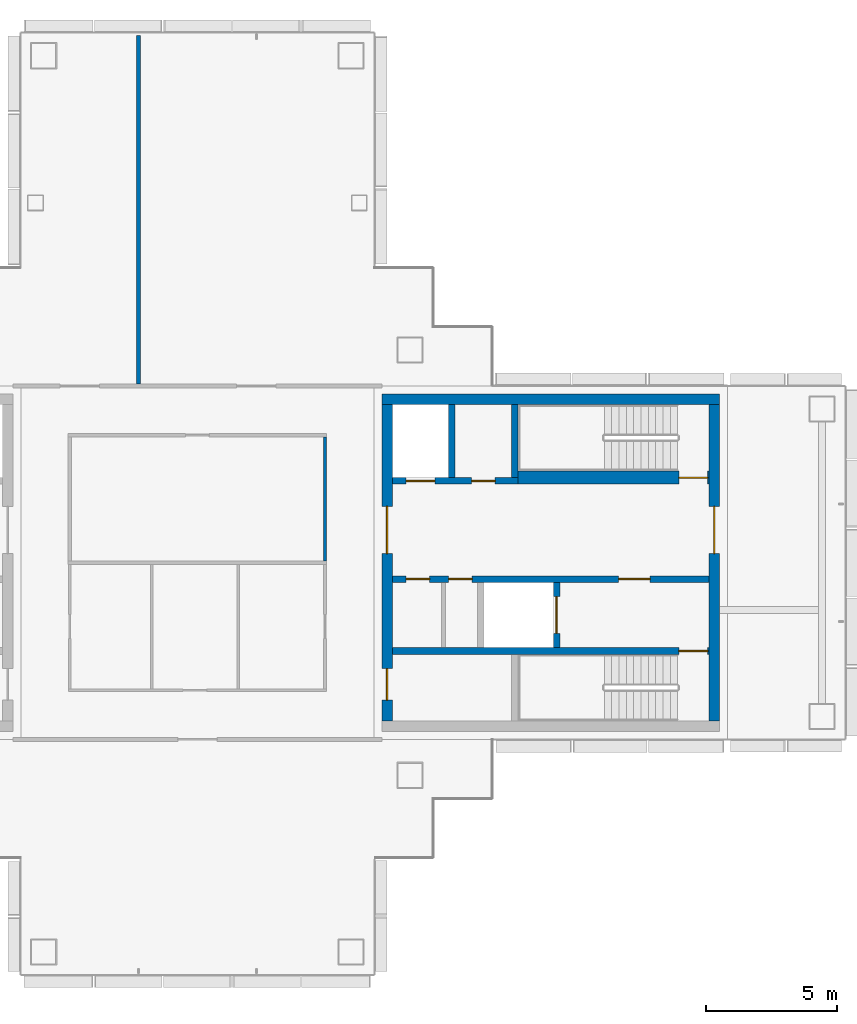
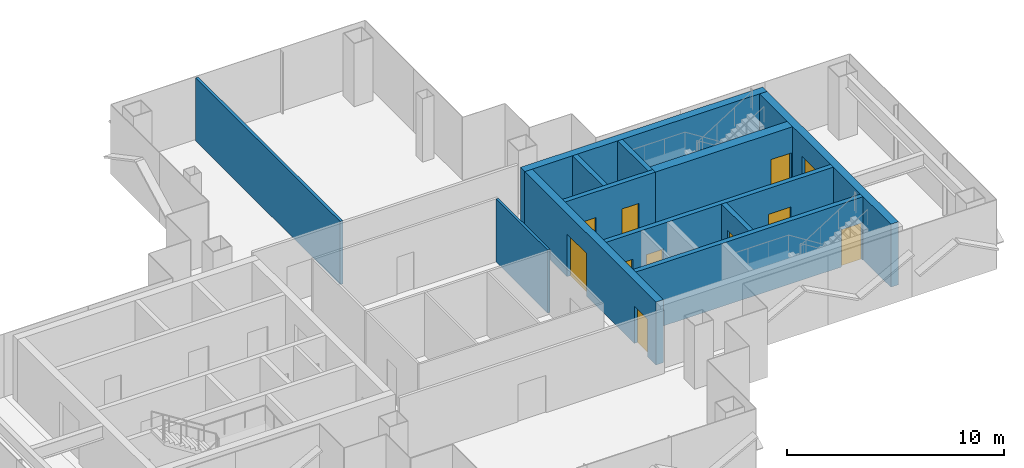
# One storey, part 12 of 17: 12 walls, 11 doors, 11 openings.
"""IFC4 building model written with IfcOpenShell, lengths in metres."""

from ifc_helpers import new_model, si_unit, direction, frame, frame_2d, origin, place, context, subcontext, project, spatial, rectangle, extrude, material, layer, layer_set, type_object, element, fill, save


model = new_model("IFC4")

# Units and contexts
model_context = context("Model", 3, precision=1e-05, world=origin(), true_north=direction((0.0, 1.0)))
body_context = subcontext(model_context, "Body", "Model", "MODEL_VIEW")
ifc_project = project(units=[si_unit("LENGTHUNIT", "METRE"), si_unit("AREAUNIT", "SQUARE_METRE"), si_unit("VOLUMEUNIT", "CUBIC_METRE"), si_unit("PLANEANGLEUNIT", "RADIAN"), si_unit("MASSUNIT", "GRAM", prefix="KILO")], contexts=[model_context])

# Site, building, storey
site_placement = place(None, origin())
site = spatial("IfcSite", under=ifc_project, at=site_placement, CompositionType="ELEMENT")
building_placement = place(site_placement, origin())
building = spatial("IfcBuilding", under=site, at=building_placement, Name="Shamsa Quay Exchange Towers", CompositionType="ELEMENT")
storey_placement = place(building_placement, frame((0.0, 0.0, 217.800048828125)))
storey = spatial("IfcBuildingStorey", under=building, at=storey_placement, Name="L52", CompositionType="ELEMENT", Elevation=217.800048828125)

# Wall
ifc_material_1 = material(Name="Concrete C60/75", Category="concrete")
ifc_layer_1 = layer(ifc_material_1, 0.39990234375)
ifc_layer_set_1 = layer_set([ifc_layer_1], Name="CORE WALL 400 C60/75")
wall_type_1 = type_object("IfcWallType", Name="CORE WALL 400 C60/75", PredefinedType="SHEAR", material=ifc_layer_set_1)
wall_1_placement = place(storey_placement, frame((53.699951171875, 6.25, 0.0), z_axis=(0.0, 0.0, 1.0), x_axis=(-1.0, 0.0, 0.0)))
element("IfcWall", 1, at=wall_1_placement, inside=storey, type_object=wall_type_1, Name="Core wall T2B-R24-PN", PredefinedType="SHEAR", context=body_context, shape_type="SweptSolid", body=[
    extrude(rectangle(XDim=12.89990234375, YDim=0.39990234375, at=frame_2d((6.449951171875, 0.0))), origin(), (0.0, 0.0, 1.0), 3.550048828125),
])

# Wall, opening, door
wall_2_placement = place(storey_placement, frame((53.5, -6.050048828125, 0.0), z_axis=(0.0, 0.0, 1.0), x_axis=(0.0, 1.0, 0.0)))
wall_2 = element("IfcWall", 2, at=wall_2_placement, inside=storey, type_object=wall_type_1, Name="Core wall T2B-R24-PF", PredefinedType="SHEAR", context=body_context, shape_type="SweptSolid", body=[
    extrude(rectangle(XDim=12.10009765625, YDim=0.39990234375, at=frame_2d((6.050048828125, 0.0))), origin(), (0.0, 0.0, 1.0), 3.550048828125),
])
opening_1_placement = place(wall_2_placement, frame((6.39990234375, 0.0, 0.0)))
opening_1 = element("IfcOpeningElement", 3, at=opening_1_placement, cuts=wall_2, Name="Opening T2B-R24-LBD01", PredefinedType="OPENING", context=body_context, shape_type="SweptSolid", body=[
    extrude(rectangle(XDim=1.800048828125, YDim=2.39990234375, at=frame_2d((0.89990234375, 1.199951171875))), frame((0.0, 0.2099609375, 0.0), z_axis=(0.0, -1.0, 0.0), x_axis=(1.0, 0.0, 0.0)), (0.0, 0.0, 1.0), 0.419921875),
])
ifc_material_2 = material(Name="Steel, fire rated", Category="steel")
door_type_1 = type_object("IfcDoorType", Name="LIFT LOBBY DOOR PAIR 1800", OperationType="DOUBLE_DOOR_SINGLE_SWING", PredefinedType="DOOR", material=ifc_material_2)
door_1_placement = place(opening_1_placement, origin())
door_1 = element("IfcDoor", 4, at=door_1_placement, inside=storey, type_object=door_type_1, Name="T2B-R24-LBD01", OperationType="DOUBLE_DOOR_SINGLE_SWING", OverallHeight=2.39990234375, OverallWidth=1.800048828125, PredefinedType="DOOR", context=body_context, shape_type="SweptSolid", body=[
    extrude(rectangle(XDim=1.800048828125, YDim=2.39990234375, at=frame_2d((0.89990234375, 1.199951171875))), frame((0.0, 0.02490234375, 0.0), z_axis=(0.0, -1.0, 0.0), x_axis=(1.0, 0.0, 0.0)), (0.0, 0.0, 1.0), 0.050048828125),
])
fill(opening_1, door_1)

# Wall, openings, doors
wall_3_placement = place(storey_placement, frame((41.0, -6.050048828125, 0.0), z_axis=(0.0, 0.0, 1.0), x_axis=(0.0, 1.0, 0.0)))
wall_3 = element("IfcWall", 5, at=wall_3_placement, inside=storey, type_object=wall_type_1, Name="Core wall T2B-R24-PB", PredefinedType="SHEAR", context=body_context, shape_type="SweptSolid", body=[
    extrude(rectangle(XDim=12.10009765625, YDim=0.39990234375, at=frame_2d((6.050048828125, 0.0))), origin(), (0.0, 0.0, 1.0), 3.550048828125),
])
opening_2_placement = place(wall_3_placement, frame((0.800048828125, 0.0, 0.0)))
opening_2 = element("IfcOpeningElement", 6, at=opening_2_placement, cuts=wall_3, Name="Opening T2B-R24-RD02", PredefinedType="OPENING", context=body_context, shape_type="SweptSolid", body=[
    extrude(rectangle(XDim=1.199951171875, YDim=2.10009765625, at=frame_2d((0.60009765625, 1.050048828125))), frame((0.0, 0.2099609375, 0.0), z_axis=(0.0, -1.0, 0.0), x_axis=(1.0, 0.0, 0.0)), (0.0, 0.0, 1.0), 0.419921875),
])
opening_3_placement = place(wall_3_placement, frame((6.39990234375, 0.0, 0.0)))
opening_3 = element("IfcOpeningElement", 7, at=opening_3_placement, cuts=wall_3, Name="Opening T2B-R24-LBD03", PredefinedType="OPENING", context=body_context, shape_type="SweptSolid", body=[
    extrude(rectangle(XDim=1.800048828125, YDim=2.39990234375, at=frame_2d((0.89990234375, 1.199951171875))), frame((0.0, 0.2099609375, 0.0), z_axis=(0.0, -1.0, 0.0), x_axis=(1.0, 0.0, 0.0)), (0.0, 0.0, 1.0), 0.419921875),
])
door_2_placement = place(opening_3_placement, origin())
door_2 = element("IfcDoor", 8, at=door_2_placement, inside=storey, type_object=door_type_1, Name="T2B-R24-LBD03", OperationType="DOUBLE_DOOR_SINGLE_SWING", OverallHeight=2.39990234375, OverallWidth=1.800048828125, PredefinedType="DOOR", context=body_context, shape_type="SweptSolid", body=[
    extrude(rectangle(XDim=1.800048828125, YDim=2.39990234375, at=frame_2d((0.89990234375, 1.199951171875))), frame((0.0, 0.02490234375, 0.0), z_axis=(0.0, -1.0, 0.0), x_axis=(1.0, 0.0, 0.0)), (0.0, 0.0, 1.0), 0.050048828125),
])
fill(opening_3, door_2)
door_type_2 = type_object("IfcDoorType", Name="RISER ACCESS DOOR 1200", OperationType="SINGLE_SWING_LEFT", PredefinedType="DOOR", material=ifc_material_2)
door_3_placement = place(opening_2_placement, origin())
door_3 = element("IfcDoor", 9, at=door_3_placement, inside=storey, type_object=door_type_2, Name="T2B-R24-RD02", OperationType="SINGLE_SWING_LEFT", OverallHeight=2.10009765625, OverallWidth=1.199951171875, PredefinedType="DOOR", context=body_context, shape_type="SweptSolid", body=[
    extrude(rectangle(XDim=1.199951171875, YDim=2.10009765625, at=frame_2d((0.60009765625, 1.050048828125))), frame((0.0, 0.02490234375, 0.0), z_axis=(0.0, -1.0, 0.0), x_axis=(1.0, 0.0, 0.0)), (0.0, 0.0, 1.0), 0.050048828125),
])
fill(opening_2, door_3)

# Walls
ifc_material_3 = material(Name="Laminated fire-resisting glass in a metal frame", Category="glass")
ifc_layer_2 = layer(ifc_material_3, 0.125)
ifc_layer_set_2 = layer_set([ifc_layer_2], Name="Glazed partition 125 mm EI 60")
wall_type_2 = type_object("IfcWallType", Name="Glazed partition 125 mm EI 60", PredefinedType="PARTITIONING", material=ifc_layer_set_2)
wall_4_placement = place(storey_placement, frame((38.625, 0.0625, 0.0), z_axis=(0.0, 0.0, 1.0), x_axis=(0.0, 1.0, 0.0)))
element("IfcWall", 10, at=wall_4_placement, inside=storey, type_object=wall_type_2, Name="Partition T2-R24-W04", PredefinedType="PARTITIONING", context=body_context, shape_type="SweptSolid", body=[
    extrude(rectangle(XDim=4.75, YDim=0.125, at=frame_2d((2.375, 0.0))), origin(), (0.0, 0.0, 1.0), 3.550048828125),
])
ifc_material_4 = material(Name="Gypsum board partition on metal studs")
ifc_layer_3 = layer(ifc_material_4, 0.14990234375)
ifc_layer_set_3 = layer_set([ifc_layer_3], Name="Partition 150 mm EI 60")
wall_type_3 = type_object("IfcWallType", Name="Partition 150 mm EI 60", PredefinedType="PARTITIONING", material=ifc_layer_set_3)
wall_5_placement = place(storey_placement, frame((31.5, 20.155029296875, 0.0), z_axis=(0.0, 0.0, 1.0), x_axis=(0.0, -1.0, 0.0)))
element("IfcWall", 11, at=wall_5_placement, inside=storey, type_object=wall_type_3, Name="Partition T2-R24-W12", PredefinedType="PARTITIONING", context=body_context, shape_type="SweptSolid", body=[
    extrude(rectangle(XDim=13.330078125, YDim=0.14990234375, at=frame_2d((6.6650390625, 0.0))), origin(), (0.0, 0.0, 1.0), 3.550048828125),
])

# Wall, opening, door
ifc_material_5 = material(Name="Concrete C50/60", Category="concrete")
ifc_layer_4 = layer(ifc_material_5, 0.25)
ifc_layer_set_4 = layer_set([ifc_layer_4], Name="SHAFT WALL 250 C50/60")
wall_type_4 = type_object("IfcWallType", Name="SHAFT WALL 250 C50/60", PredefinedType="SHEAR", material=ifc_layer_set_4)
wall_6_placement = place(storey_placement, frame((53.300048828125, -3.375, 0.0), z_axis=(0.0, 0.0, 1.0), x_axis=(-1.0, 0.0, 0.0)))
wall_6 = element("IfcWall", 12, at=wall_6_placement, inside=storey, type_object=wall_type_4, Name="Shaft wall T2B-R24-STL", PredefinedType="SHEAR", context=body_context, shape_type="SweptSolid", body=[
    extrude(rectangle(XDim=12.10009765625, YDim=0.25, at=frame_2d((6.050048828125, 0.0))), origin(), (0.0, 0.0, 1.0), 3.550048828125),
])
opening_4_placement = place(wall_6_placement, frame((0.050048828125, 0.0, 0.0)))
opening_4 = element("IfcOpeningElement", 13, at=opening_4_placement, cuts=wall_6, Name="Opening T2B-R24-SD04", PredefinedType="OPENING", context=body_context, shape_type="SweptSolid", body=[
    extrude(rectangle(XDim=1.10009765625, YDim=2.10009765625, at=frame_2d((0.550048828125, 1.050048828125))), frame((0.0, 0.135009765625, 0.0), z_axis=(0.0, -1.0, 0.0), x_axis=(1.0, 0.0, 0.0)), (0.0, 0.0, 1.0), 0.27001953125),
])
door_type_3 = type_object("IfcDoorType", Name="STAIR DOOR 1100", OperationType="SINGLE_SWING_LEFT", PredefinedType="DOOR", material=ifc_material_2)
door_4_placement = place(opening_4_placement, origin())
door_4 = element("IfcDoor", 14, at=door_4_placement, inside=storey, type_object=door_type_3, Name="T2B-R24-SD04", OperationType="SINGLE_SWING_LEFT", OverallHeight=2.10009765625, OverallWidth=1.10009765625, PredefinedType="DOOR", context=body_context, shape_type="SweptSolid", body=[
    extrude(rectangle(XDim=1.10009765625, YDim=2.10009765625, at=frame_2d((0.550048828125, 1.050048828125))), frame((0.0, 0.02490234375, 0.0), z_axis=(0.0, -1.0, 0.0), x_axis=(1.0, 0.0, 0.0)), (0.0, 0.0, 1.0), 0.050048828125),
])
fill(opening_4, door_4)

# Wall, openings, doors
wall_7_placement = place(storey_placement, frame((53.300048828125, -0.625, 0.0), z_axis=(0.0, 0.0, 1.0), x_axis=(-1.0, 0.0, 0.0)))
wall_7 = element("IfcWall", 15, at=wall_7_placement, inside=storey, type_object=wall_type_4, Name="Shaft wall T2B-R24-B", PredefinedType="SHEAR", context=body_context, shape_type="SweptSolid", body=[
    extrude(rectangle(XDim=12.10009765625, YDim=0.25, at=frame_2d((6.050048828125, 0.0))), origin(), (0.0, 0.0, 1.0), 3.550048828125),
])
opening_5_placement = place(wall_7_placement, frame((2.25, 0.0, 0.0)))
opening_5 = element("IfcOpeningElement", 16, at=opening_5_placement, cuts=wall_7, Name="Opening T2B-R24-FD05", PredefinedType="OPENING", context=body_context, shape_type="SweptSolid", body=[
    extrude(rectangle(XDim=1.199951171875, YDim=2.10009765625, at=frame_2d((0.60009765625, 1.050048828125))), frame((0.0, 0.135009765625, 0.0), z_axis=(0.0, -1.0, 0.0), x_axis=(1.0, 0.0, 0.0)), (0.0, 0.0, 1.0), 0.27001953125),
])
opening_6_placement = place(wall_7_placement, frame((9.050048828125, 0.0, 0.0)))
opening_6 = element("IfcOpeningElement", 17, at=opening_6_placement, cuts=wall_7, Name="Opening T2B-R24-SV06", PredefinedType="OPENING", context=body_context, shape_type="SweptSolid", body=[
    extrude(rectangle(XDim=0.89990234375, YDim=2.10009765625, at=frame_2d((0.449951171875, 1.050048828125))), frame((0.0, 0.135009765625, 0.0), z_axis=(0.0, -1.0, 0.0), x_axis=(1.0, 0.0, 0.0)), (0.0, 0.0, 1.0), 0.27001953125),
])
opening_7_placement = place(wall_7_placement, frame((10.675048828125, 0.0, 0.0)))
opening_7 = element("IfcOpeningElement", 18, at=opening_7_placement, cuts=wall_7, Name="Opening T2B-R24-SV07", PredefinedType="OPENING", context=body_context, shape_type="SweptSolid", body=[
    extrude(rectangle(XDim=0.89990234375, YDim=2.10009765625, at=frame_2d((0.449951171875, 1.050048828125))), frame((0.0, 0.135009765625, 0.0), z_axis=(0.0, -1.0, 0.0), x_axis=(1.0, 0.0, 0.0)), (0.0, 0.0, 1.0), 0.27001953125),
])
door_type_4 = type_object("IfcDoorType", Name="FIRE SERVICE LOBBY DOOR 1200", OperationType="SINGLE_SWING_LEFT", PredefinedType="DOOR", material=ifc_material_2)
door_5_placement = place(opening_5_placement, origin())
door_5 = element("IfcDoor", 19, at=door_5_placement, inside=storey, type_object=door_type_4, Name="T2B-R24-FD05", OperationType="SINGLE_SWING_LEFT", OverallHeight=2.10009765625, OverallWidth=1.199951171875, PredefinedType="DOOR", context=body_context, shape_type="SweptSolid", body=[
    extrude(rectangle(XDim=1.199951171875, YDim=2.10009765625, at=frame_2d((0.60009765625, 1.050048828125))), frame((0.0, 0.02490234375, 0.0), z_axis=(0.0, -1.0, 0.0), x_axis=(1.0, 0.0, 0.0)), (0.0, 0.0, 1.0), 0.050048828125),
])
fill(opening_5, door_5)
door_type_5 = type_object("IfcDoorType", Name="SERVICE ROOM DOOR 900", OperationType="SINGLE_SWING_LEFT", PredefinedType="DOOR", material=ifc_material_2)
door_6_placement = place(opening_6_placement, origin())
door_6 = element("IfcDoor", 20, at=door_6_placement, inside=storey, type_object=door_type_5, Name="T2B-R24-SV06", OperationType="SINGLE_SWING_RIGHT", OverallHeight=2.10009765625, OverallWidth=0.89990234375, PredefinedType="DOOR", context=body_context, shape_type="SweptSolid", body=[
    extrude(rectangle(XDim=0.89990234375, YDim=2.10009765625, at=frame_2d((0.449951171875, 1.050048828125))), frame((0.0, 0.02490234375, 0.0), z_axis=(0.0, -1.0, 0.0), x_axis=(1.0, 0.0, 0.0)), (0.0, 0.0, 1.0), 0.050048828125),
])
fill(opening_6, door_6)
door_7_placement = place(opening_7_placement, origin())
door_7 = element("IfcDoor", 21, at=door_7_placement, inside=storey, type_object=door_type_5, Name="T2B-R24-SV07", OperationType="SINGLE_SWING_RIGHT", OverallHeight=2.10009765625, OverallWidth=0.89990234375, PredefinedType="DOOR", context=body_context, shape_type="SweptSolid", body=[
    extrude(rectangle(XDim=0.89990234375, YDim=2.10009765625, at=frame_2d((0.449951171875, 1.050048828125))), frame((0.0, 0.02490234375, 0.0), z_axis=(0.0, -1.0, 0.0), x_axis=(1.0, 0.0, 0.0)), (0.0, 0.0, 1.0), 0.050048828125),
])
fill(opening_7, door_7)

# Wall, opening, door
wall_8_placement = place(storey_placement, frame((47.47509765625, -3.25, 0.0), z_axis=(0.0, 0.0, 1.0), x_axis=(0.0, 1.0, 0.0)))
wall_8 = element("IfcWall", 22, at=wall_8_placement, inside=storey, type_object=wall_type_4, Name="Shaft wall T2B-R24-FFF", PredefinedType="SHEAR", context=body_context, shape_type="SweptSolid", body=[
    extrude(rectangle(XDim=2.5, YDim=0.25, at=frame_2d((1.25, 0.0))), origin(), (0.0, 0.0, 1.0), 3.550048828125),
])
opening_8_placement = place(wall_8_placement, frame((0.550048828125, 0.0, 0.0)))
opening_8 = element("IfcOpeningElement", 23, at=opening_8_placement, cuts=wall_8, Name="Opening T2B-R24-LDG08", PredefinedType="OPENING", context=body_context, shape_type="SweptSolid", body=[
    extrude(rectangle(XDim=1.39990234375, YDim=2.39990234375, at=frame_2d((0.699951171875, 1.199951171875))), frame((0.0, 0.135009765625, 0.0), z_axis=(0.0, -1.0, 0.0), x_axis=(1.0, 0.0, 0.0)), (0.0, 0.0, 1.0), 0.27001953125),
])
door_type_6 = type_object("IfcDoorType", Name="GOODS LIFT LANDING DOOR 1400", OperationType="SLIDING_TO_LEFT", PredefinedType="DOOR", material=ifc_material_2)
door_8_placement = place(opening_8_placement, origin())
door_8 = element("IfcDoor", 24, at=door_8_placement, inside=storey, type_object=door_type_6, Name="T2B-R24-LDG08", OperationType="SLIDING_TO_LEFT", OverallHeight=2.39990234375, OverallWidth=1.39990234375, PredefinedType="DOOR", context=body_context, shape_type="SweptSolid", body=[
    extrude(rectangle(XDim=1.39990234375, YDim=2.39990234375, at=frame_2d((0.699951171875, 1.199951171875))), frame((0.0, 0.02490234375, 0.0), z_axis=(0.0, -1.0, 0.0), x_axis=(1.0, 0.0, 0.0)), (0.0, 0.0, 1.0), 0.050048828125),
])
fill(opening_8, door_8)

# Wall, openings, doors
wall_9_placement = place(storey_placement, frame((41.199951171875, 3.125, 0.0)))
wall_9 = element("IfcWall", 25, at=wall_9_placement, inside=storey, type_object=wall_type_4, Name="Shaft wall T2B-R24-N2", PredefinedType="SHEAR", context=body_context, shape_type="SweptSolid", body=[
    extrude(rectangle(XDim=4.800048828125, YDim=0.25, at=frame_2d((2.39990234375, 0.0))), origin(), (0.0, 0.0, 1.0), 3.550048828125),
])
opening_9_placement = place(wall_9_placement, frame((0.52490234375, 0.0, 0.0)))
opening_9 = element("IfcOpeningElement", 26, at=opening_9_placement, cuts=wall_9, Name="Opening T2B-R24-LD10", PredefinedType="OPENING", context=body_context, shape_type="SweptSolid", body=[
    extrude(rectangle(XDim=1.10009765625, YDim=2.10009765625, at=frame_2d((0.550048828125, 1.050048828125))), frame((0.0, 0.135009765625, 0.0), z_axis=(0.0, -1.0, 0.0), x_axis=(1.0, 0.0, 0.0)), (0.0, 0.0, 1.0), 0.27001953125),
])
opening_10_placement = place(wall_9_placement, frame((3.02490234375, 0.0, 0.0)))
opening_10 = element("IfcOpeningElement", 27, at=opening_10_placement, cuts=wall_9, Name="Opening T2B-R24-SV11", PredefinedType="OPENING", context=body_context, shape_type="SweptSolid", body=[
    extrude(rectangle(XDim=0.89990234375, YDim=2.10009765625, at=frame_2d((0.449951171875, 1.050048828125))), frame((0.0, 0.135009765625, 0.0), z_axis=(0.0, -1.0, 0.0), x_axis=(1.0, 0.0, 0.0)), (0.0, 0.0, 1.0), 0.27001953125),
])
door_type_7 = type_object("IfcDoorType", Name="LANDING DOOR 1100", OperationType="SLIDING_TO_LEFT", PredefinedType="DOOR", material=ifc_material_2)
door_9_placement = place(opening_9_placement, origin())
door_9 = element("IfcDoor", 28, at=door_9_placement, inside=storey, type_object=door_type_7, Name="T2B-R24-LD10", OperationType="SLIDING_TO_LEFT", OverallHeight=2.10009765625, OverallWidth=1.10009765625, PredefinedType="DOOR", context=body_context, shape_type="SweptSolid", body=[
    extrude(rectangle(XDim=1.10009765625, YDim=2.10009765625, at=frame_2d((0.550048828125, 1.050048828125))), frame((0.0, 0.02490234375, 0.0), z_axis=(0.0, -1.0, 0.0), x_axis=(1.0, 0.0, 0.0)), (0.0, 0.0, 1.0), 0.050048828125),
])
fill(opening_9, door_9)
door_10_placement = place(opening_10_placement, origin())
door_10 = element("IfcDoor", 29, at=door_10_placement, inside=storey, type_object=door_type_5, Name="T2B-R24-SV11", OperationType="SINGLE_SWING_RIGHT", OverallHeight=2.10009765625, OverallWidth=0.89990234375, PredefinedType="DOOR", context=body_context, shape_type="SweptSolid", body=[
    extrude(rectangle(XDim=0.89990234375, YDim=2.10009765625, at=frame_2d((0.449951171875, 1.050048828125))), frame((0.0, 0.02490234375, 0.0), z_axis=(0.0, -1.0, 0.0), x_axis=(1.0, 0.0, 0.0)), (0.0, 0.0, 1.0), 0.050048828125),
])
fill(opening_10, door_10)

# Walls
for number, where, z_axis, x_axis, name in (
    (30, (45.875, 3.25, 0.0), (0.0, 0.0, 1.0), (0.0, 1.0, 0.0), "Shaft wall T2B-R24-STF2"),
    (31, (43.47509765625, 3.25, 0.0), (0.0, 0.0, 1.0), (0.0, 1.0, 0.0), "Shaft wall T2B-R24-D0"),
):
    element("IfcWall", number, at=place(storey_placement, frame(where, z_axis=z_axis, x_axis=x_axis)), inside=storey, type_object=wall_type_4, Name=name, PredefinedType="SHEAR", context=body_context, shape_type="SweptSolid", body=[
        extrude(rectangle(XDim=2.800048828125, YDim=0.25, at=frame_2d((1.39990234375, 0.0))), origin(), (0.0, 0.0, 1.0), 3.550048828125),
    ])

# Wall, opening, door
ifc_layer_5 = layer(ifc_material_5, 0.5)
ifc_layer_set_5 = layer_set([ifc_layer_5], Name="SHAFT WALL 500 C50/60")
wall_type_5 = type_object("IfcWallType", Name="SHAFT WALL 500 C50/60", PredefinedType="SHEAR", material=ifc_layer_set_5)
wall_10_placement = place(storey_placement, frame((46.0, 3.25, 0.0)))
wall_10 = element("IfcWall", 32, at=wall_10_placement, inside=storey, type_object=wall_type_5, Name="Shaft wall T2B-R24-N", PredefinedType="SHEAR", context=body_context, shape_type="SweptSolid", body=[
    extrude(rectangle(XDim=7.300048828125, YDim=0.5, at=frame_2d((3.64990234375, 0.0))), origin(), (0.0, 0.0, 1.0), 3.550048828125),
])
opening_11_placement = place(wall_10_placement, frame((6.14990234375, 0.0, 0.0)))
opening_11 = element("IfcOpeningElement", 33, at=opening_11_placement, cuts=wall_10, Name="Opening T2B-R24-SD09", PredefinedType="OPENING", context=body_context, shape_type="SweptSolid", body=[
    extrude(rectangle(XDim=1.10009765625, YDim=2.10009765625, at=frame_2d((0.550048828125, 1.050048828125))), frame((0.0, 0.260009765625, 0.0), z_axis=(0.0, -1.0, 0.0), x_axis=(1.0, 0.0, 0.0)), (0.0, 0.0, 1.0), 0.52001953125),
])
door_11_placement = place(opening_11_placement, origin())
door_11 = element("IfcDoor", 34, at=door_11_placement, inside=storey, type_object=door_type_3, Name="T2B-R24-SD09", OperationType="SINGLE_SWING_RIGHT", OverallHeight=2.10009765625, OverallWidth=1.10009765625, PredefinedType="DOOR", context=body_context, shape_type="SweptSolid", body=[
    extrude(rectangle(XDim=1.10009765625, YDim=2.10009765625, at=frame_2d((0.550048828125, 1.050048828125))), frame((0.0, 0.02490234375, 0.0), z_axis=(0.0, -1.0, 0.0), x_axis=(1.0, 0.0, 0.0)), (0.0, 0.0, 1.0), 0.050048828125),
])
fill(opening_11, door_11)

save(model, "model.ifc")
